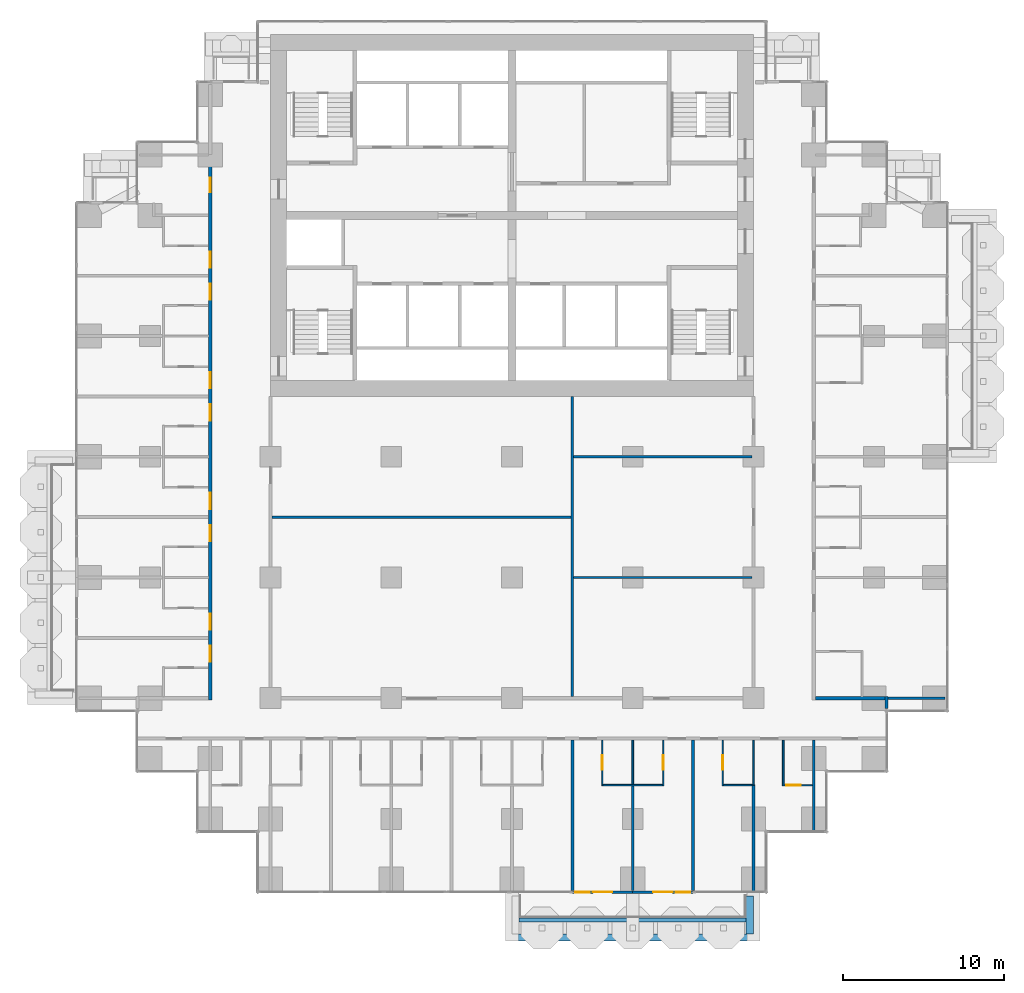
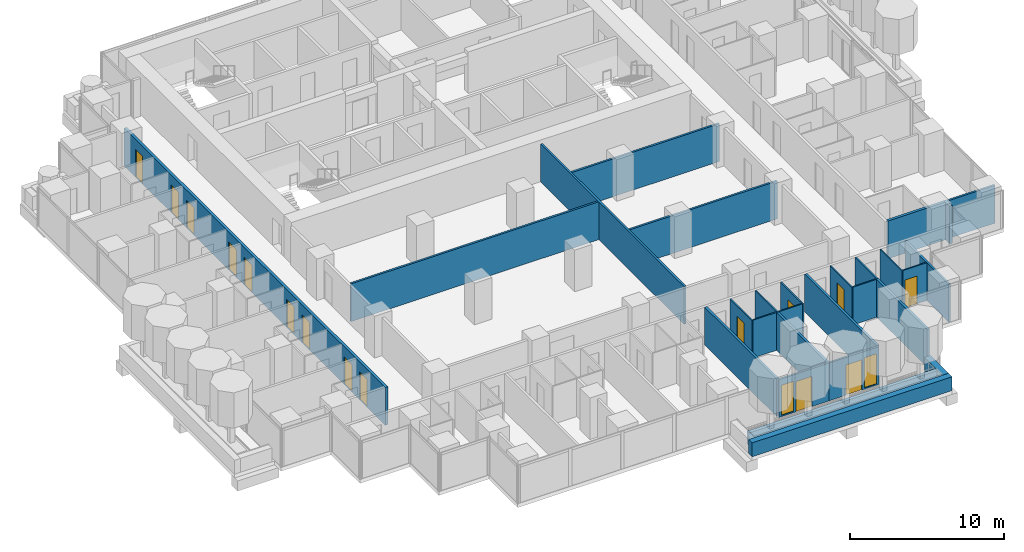
# One storey, part 13 of 20: 27 walls, 15 doors, 2 windows, 17 openings.
"""IFC4 building model written with IfcOpenShell, lengths in metres."""

import ifcopenshell
import ifcopenshell.guid

model = None  # the IFC model being written
_history = None  # IfcOwnerHistory: only IFC2X3 demands one
_inside = {}  # id of a spatial element -> (the spatial element, [elements in it])
_under = {}  # id of a project, library or spatial element -> (it, [spatial elements below it])
_declared = {}  # id of a project -> (the project, [libraries it declares])
_typed = {}  # id of a type object -> (the type object, [elements of that type])
_made_of = {}  # id of a material, layer set ... -> (it, [elements and type objects made of it])


def new_model(schema):
    """Start an empty IFC model of exactly this schema.

    Asked for "IFC4X3", IfcOpenShell would pick the latest addendum, in which some entities
    have other attributes; the version numbers below select the first issue.
    IFC2X3 requires an IfcOwnerHistory on every rooted entity: one is made here for all.
    """
    global model, _history
    if schema == "IFC4X3":
        model = ifcopenshell.file(schema_version=(4, 3, 0, 0))
    else:
        model = ifcopenshell.file(schema=schema)
    _inside.clear()
    _under.clear()
    _declared.clear()
    _typed.clear()
    _made_of.clear()
    _history = None
    if model.schema == "IFC2X3":
        org = make("IfcOrganization", Name="unknown")
        user = make(
            "IfcPersonAndOrganization",
            ThePerson=make("IfcPerson", FamilyName="unknown"),
            TheOrganization=org,
        )
        app = make(
            "IfcApplication",
            ApplicationDeveloper=org,
            Version="unknown",
            ApplicationFullName="unknown",
            ApplicationIdentifier="unknown",
        )
        _history = make(
            "IfcOwnerHistory",
            OwningUser=user,
            OwningApplication=app,
            ChangeAction="ADDED",
            CreationDate=0,
        )
    return model


def make(cls, **values):
    """One entity of the class cls with the attributes given. An attribute that is None is left unset."""
    return model.create_entity(
        cls, **{name: value for name, value in values.items() if value is not None}
    )


def rooted(cls, **values):
    """An entity with a GlobalId (a new one), such as an element, a storey or a relation."""
    return make(cls, GlobalId=ifcopenshell.guid.new(), OwnerHistory=_history, **values)


def si_unit(unit_type, name, prefix=None):
    """IfcSIUnit, for example si_unit("LENGTHUNIT", "METRE", prefix="MILLI")."""
    return make("IfcSIUnit", UnitType=unit_type, Prefix=prefix, Name=name)


def assignment(units):
    """IfcUnitAssignment: the units of a project."""
    return None if units is None else make("IfcUnitAssignment", Units=units)


def point(xyz):
    """IfcCartesianPoint."""
    return None if xyz is None else make("IfcCartesianPoint", Coordinates=xyz)


def direction(xyz):
    """IfcDirection."""
    return None if xyz is None else make("IfcDirection", DirectionRatios=xyz)


def frame(location, z_axis=None, x_axis=None):
    """IfcAxis2Placement3D, a coordinate frame: its origin and axes. An axis left out is left unset."""
    return make(
        "IfcAxis2Placement3D",
        Location=point(location),
        Axis=direction(z_axis),
        RefDirection=direction(x_axis),
    )


def frame_2d(location, x_axis=None):
    """IfcAxis2Placement2D, a coordinate frame in the plane: its origin and x axis."""
    return make(
        "IfcAxis2Placement2D", Location=point(location), RefDirection=direction(x_axis)
    )


def origin():
    """The frame at (0, 0, 0) with its axes left unset."""
    return frame((0.0, 0.0, 0.0))


def place(relative_to, where):
    """IfcLocalPlacement: puts the frame where relative to a parent placement (None: the world)."""
    return make(
        "IfcLocalPlacement", PlacementRelTo=relative_to, RelativePlacement=where
    )


def context(
    kind, dimensions, precision=None, world=None, true_north=None, identifier=None
):
    """IfcGeometricRepresentationContext, for example the 3D "Model" context."""
    return make(
        "IfcGeometricRepresentationContext",
        ContextIdentifier=identifier,
        ContextType=kind,
        CoordinateSpaceDimension=dimensions,
        Precision=precision,
        WorldCoordinateSystem=world,
        TrueNorth=true_north,
    )


def subcontext(parent, identifier, kind, view, scale=None):
    """IfcGeometricRepresentationSubContext, for example "Body" below "Model"."""
    return make(
        "IfcGeometricRepresentationSubContext",
        ContextIdentifier=identifier,
        ContextType=kind,
        ParentContext=parent,
        TargetScale=scale,
        TargetView=view,
    )


def project(units=None, contexts=None):
    """IfcProject with its units and contexts."""
    return rooted(
        "IfcProject",
        Name="project",
        RepresentationContexts=contexts,
        UnitsInContext=assignment(units),
    )


def spatial(cls, under=None, at=None, **own):
    """A site, building, storey or space (cls), placed at a placement, below another one or the project."""
    s = rooted(cls, ObjectPlacement=at, **own)
    if under is not None:
        _under.setdefault(under.id(), (under, []))[1].append(s)
    return s


def profile(cls, at=None, kind="AREA", **sizes):
    """A parametric profile (cls). Its sizes go by their IFC names, for example OverallWidth=200.0."""
    return make(cls, ProfileType=kind, Position=at, **sizes)


def rectangle(**sizes):
    """IfcRectangleProfileDef."""
    return profile("IfcRectangleProfileDef", **sizes)


def extrude(swept, where, along, depth):
    """IfcExtrudedAreaSolid: the profile swept, set in the frame where, extruded along a direction by depth."""
    return make(
        "IfcExtrudedAreaSolid",
        SweptArea=swept,
        Position=where,
        ExtrudedDirection=direction(along),
        Depth=depth,
    )


def shape(context_of_items, identifier, shape_type, items):
    """IfcShapeRepresentation: the items that make up one representation, for example the "Body"."""
    return make(
        "IfcShapeRepresentation",
        ContextOfItems=context_of_items,
        RepresentationIdentifier=identifier,
        RepresentationType=shape_type,
        Items=items,
    )


def material(Name=None, Category=None):
    """IfcMaterial."""
    return make("IfcMaterial", Name=Name, Category=Category)


def layer(
    of_material, thickness, ventilated=None, Name=None, Category=None, Priority=None
):
    """IfcMaterialLayer: one layer of a wall or slab, of a material (None: an air gap)."""
    return make(
        "IfcMaterialLayer",
        Material=of_material,
        LayerThickness=thickness,
        IsVentilated=ventilated,
        Name=Name,
        Category=Category,
        Priority=Priority,
    )


def layer_set(layers, Name=None):
    """IfcMaterialLayerSet."""
    return make("IfcMaterialLayerSet", MaterialLayers=layers, LayerSetName=Name)


def made_of(thing, what):
    """Note that an element or type object is made of a material, layer set ...; save() writes the relation."""
    if what is not None:
        _made_of.setdefault(what.id(), (what, []))[1].append(thing)
    return thing


def type_object(cls, material=None, **own):
    """A type object (cls), such as IfcWallType, which elements share."""
    return made_of(rooted(cls, **own), material)


def element(
    cls,
    number,
    at=None,
    inside=None,
    cuts=None,
    type_object=None,
    material=None,
    context=None,
    identifier="Body",
    shape_type=None,
    held_by="IfcProductDefinitionShape",
    body=None,
    shapes=None,
    **own,
):
    """One element of the class cls, such as IfcWall. Its Tag is "e" and its number.

    at: its placement. inside: the storey or other place that contains it. cuts: it is an
    opening in that element (IfcRelVoidsElement). A single representation is given by context,
    identifier, shape_type and body (its items); several are given by shapes. held_by: the class
    of the entity that holds the representations. save() writes the other relations.
    """
    e = rooted(cls, Tag="e%d" % number, ObjectPlacement=at, **own)
    if body is not None:
        shapes = [shape(context, identifier, shape_type, body)]
    if shapes is not None:
        e.Representation = make(held_by, Representations=shapes)
    if inside is not None:
        _inside.setdefault(inside.id(), (inside, []))[1].append(e)
    if cuts is not None:
        rooted(
            "IfcRelVoidsElement", RelatingBuildingElement=cuts, RelatedOpeningElement=e
        )
    if type_object is not None:
        _typed.setdefault(type_object.id(), (type_object, []))[1].append(e)
    return made_of(e, material)


def fill(opening, filler):
    """IfcRelFillsElement: the door or window that sits in an opening."""
    return rooted(
        "IfcRelFillsElement",
        RelatingOpeningElement=opening,
        RelatedBuildingElement=filler,
    )


def aggregate(whole, parts):
    """IfcRelAggregates: a whole, such as a stair, and the parts it consists of."""
    return rooted("IfcRelAggregates", RelatingObject=whole, RelatedObjects=parts)


def save(model, path):
    """Write the relations noted so far, then the file.

    IfcRelAggregates (storeys below a building ...), IfcRelContainedInSpatialStructure (elements
    in a storey), IfcRelDefinesByType, IfcRelAssociatesMaterial and IfcRelDeclares: one each for
    every whole, place, type object, material and project.
    """
    for whole, parts in _under.values():
        aggregate(whole, parts)
    for where, things in _inside.values():
        rooted(
            "IfcRelContainedInSpatialStructure",
            RelatedElements=things,
            RelatingStructure=where,
        )
    for kind, things in _typed.values():
        rooted("IfcRelDefinesByType", RelatedObjects=things, RelatingType=kind)
    for what, things in _made_of.values():
        rooted("IfcRelAssociatesMaterial", RelatedObjects=things, RelatingMaterial=what)
    for by, libraries in _declared.values():
        rooted("IfcRelDeclares", RelatingContext=by, RelatedDefinitions=libraries)
    model.write(path)


model = new_model("IFC4")

# Units and contexts
model_context = context("Model", 3, precision=1e-05, world=origin(), true_north=direction((0.0, 1.0)))
body_context = subcontext(model_context, "Body", "Model", "MODEL_VIEW")
ifc_project = project(units=[si_unit("LENGTHUNIT", "METRE"), si_unit("AREAUNIT", "SQUARE_METRE"), si_unit("VOLUMEUNIT", "CUBIC_METRE"), si_unit("PLANEANGLEUNIT", "RADIAN"), si_unit("MASSUNIT", "GRAM", prefix="KILO")], contexts=[model_context])

# Site, building, storey
site_placement = place(None, origin())
site = spatial("IfcSite", under=ifc_project, at=site_placement, CompositionType="ELEMENT")
building_placement = place(site_placement, origin())
building = spatial("IfcBuilding", under=site, at=building_placement, Name="Pilkhan Gate Tower", CompositionType="ELEMENT")
storey_placement = place(building_placement, frame((0.0, 0.0, 85.699951171875)))
storey = spatial("IfcBuildingStorey", under=building, at=storey_placement, Name="L20", CompositionType="ELEMENT", Elevation=85.699951171875)

# Walls
ifc_material_1 = material(Name="Dense blockwork", Category="masonry")
ifc_layer_1 = layer(ifc_material_1, 0.175048828125)
ifc_layer_set_1 = layer_set([ifc_layer_1], Name="Acoustic party wall PW175")
wall_type_1 = type_object("IfcWallType", Name="Acoustic party wall PW175", PredefinedType="PARTITIONING", material=ifc_layer_set_1)
wall_1_placement = place(storey_placement, frame((78.75, 40.5400390625, 0.0), z_axis=(0.0, 0.0, 1.0), x_axis=(0.0, 1.0, 0.0)))
element("IfcWall", 1, at=wall_1_placement, inside=storey, type_object=wall_type_1, Name="Partition L20", PredefinedType="PARTITIONING", context=body_context, shape_type="SweptSolid", body=[
    extrude(rectangle(XDim=9.35986328125, YDim=0.175048828125, at=frame_2d((4.679931640625, 0.0))), origin(), (0.0, 0.0, 1.0), 3.0),
])
wall_2_placement = place(storey_placement, frame((82.5, 40.5400390625, 0.0), z_axis=(0.0, 0.0, 1.0), x_axis=(0.0, 1.0, 0.0)))
element("IfcWall", 2, at=wall_2_placement, inside=storey, type_object=wall_type_1, Name="Partition L20", PredefinedType="PARTITIONING", context=body_context, shape_type="SweptSolid", body=[
    extrude(rectangle(XDim=6.510009765625, YDim=0.175048828125, at=frame_2d((3.2548828125, 0.0))), origin(), (0.0, 0.0, 1.0), 3.0),
])
wall_3_placement = place(storey_placement, frame((86.25, 40.5400390625, 0.0), z_axis=(0.0, 0.0, 1.0), x_axis=(0.0, 1.0, 0.0)))
element("IfcWall", 3, at=wall_3_placement, inside=storey, type_object=wall_type_1, Name="Partition L20", PredefinedType="PARTITIONING", context=body_context, shape_type="SweptSolid", body=[
    extrude(rectangle(XDim=9.35986328125, YDim=0.175048828125, at=frame_2d((4.679931640625, 0.0))), origin(), (0.0, 0.0, 1.0), 3.0),
])
wall_4_placement = place(storey_placement, frame((90.0, 40.485107421875, 0.0), z_axis=(0.0, 0.0, 1.0), x_axis=(0.0, 1.0, 0.0)))
element("IfcWall", 4, at=wall_4_placement, inside=storey, type_object=wall_type_1, Name="Partition L20", PredefinedType="PARTITIONING", context=body_context, shape_type="SweptSolid", body=[
    extrude(rectangle(XDim=6.664794921875, YDim=0.175048828125, at=frame_2d((3.33251953125, 0.0))), origin(), (0.0, 0.0, 1.0), 3.0),
])
ifc_material_2 = material(Name="Concrete C40/50", Category="concrete")
ifc_layer_2 = layer(ifc_material_2, 0.25)
ifc_layer_set_2 = layer_set([ifc_layer_2], Name="Balcony planter BP250")
wall_type_2 = type_object("IfcWallType", Name="Balcony planter BP250", PredefinedType="USERDEFINED", material=ifc_layer_set_2)
wall_5_placement = place(storey_placement, frame((75.449951171875, 38.72509765625, 0.0), z_axis=(0.0, 0.0, 1.0), x_axis=(1.0, 0.0, 0.0)))
element("IfcWall", 5, at=wall_5_placement, inside=storey, type_object=wall_type_2, Name="Balcony planter L20 S", ObjectType="BALCONY PLANTER", PredefinedType="USERDEFINED", context=body_context, shape_type="SweptSolid", body=[
    extrude(rectangle(XDim=14.10009765625, YDim=0.25, at=frame_2d((7.050048828125, 0.0))), origin(), (0.0, 0.0, 1.0), 1.0),
])
ifc_material_3 = material(Name="Board-marked Concrete C40/50", Category="concrete")
ifc_layer_3 = layer(ifc_material_3, 0.449951171875)
ifc_layer_set_3 = layer_set([ifc_layer_3], Name="Balcony planter lip BL450")
wall_type_3 = type_object("IfcWallType", Name="Balcony planter lip BL450", PredefinedType="USERDEFINED", material=ifc_layer_set_3)
wall_6_placement = place(storey_placement, frame((75.0, 37.625, 0.0), z_axis=(0.0, 0.0, 1.0), x_axis=(1.0, 0.0, 0.0)))
element("IfcWall", 6, at=wall_6_placement, inside=storey, type_object=wall_type_3, Name="Balcony planter L20 S", ObjectType="BALCONY PLANTER", PredefinedType="USERDEFINED", context=body_context, shape_type="SweptSolid", body=[
    extrude(rectangle(XDim=15.0, YDim=0.449951171875, at=frame_2d((7.5, 0.0))), origin(), (0.0, 0.0, 1.0), 1.10009765625),
])
wall_7_placement = place(storey_placement, frame((89.77490234375, 40.199951171875, 0.0), z_axis=(0.0, 0.0, 1.0), x_axis=(0.0, -1.0, 0.0)))
element("IfcWall", 7, at=wall_7_placement, inside=storey, type_object=wall_type_3, Name="Balcony planter L20 S", ObjectType="BALCONY PLANTER", PredefinedType="USERDEFINED", context=body_context, shape_type="SweptSolid", body=[
    extrude(rectangle(XDim=2.349853515625, YDim=0.449951171875, at=frame_2d((1.1748046875, 0.0))), origin(), (0.0, 0.0, 1.0), 1.10009765625),
])
ifc_layer_4 = layer(ifc_material_1, 0.199951171875)
ifc_layer_set_4 = layer_set([ifc_layer_4], Name="Corridor wall FW200")
wall_type_4 = type_object("IfcWallType", Name="Corridor wall FW200", PredefinedType="PARTITIONING", material=ifc_layer_set_4)
wall_8_placement = place(storey_placement, frame((93.85009765625, 52.5, 0.0), z_axis=(0.0, 0.0, 1.0), x_axis=(1.0, 0.0, 0.0)))
element("IfcWall", 8, at=wall_8_placement, inside=storey, type_object=wall_type_4, Name="Partition L20", PredefinedType="PARTITIONING", context=body_context, shape_type="SweptSolid", body=[
    extrude(rectangle(XDim=4.31494140625, YDim=0.199951171875, at=frame_2d((2.157470703125, 0.0))), origin(), (0.0, 0.0, 1.0), 3.0),
])

# Wall, openings, doors
wall_9_placement = place(storey_placement, frame((56.25, 52.39990234375, 0.0), z_axis=(0.0, 0.0, 1.0), x_axis=(0.0, 1.0, 0.0)))
wall_9 = element("IfcWall", 9, at=wall_9_placement, inside=storey, type_object=wall_type_4, Name="Partition L20", PredefinedType="PARTITIONING", context=body_context, shape_type="SweptSolid", body=[
    extrude(rectangle(XDim=33.925048828125, YDim=0.199951171875, at=frame_2d((16.96240234375, 0.0))), origin(), (0.0, 0.0, 1.0), 3.0),
])
opening_1_placement = place(wall_9_placement, frame((2.35009765625, 0.0, 0.0)))
opening_1 = element("IfcOpeningElement", 10, at=opening_1_placement, cuts=wall_9, Name="Opening L20-26", PredefinedType="OPENING", context=body_context, shape_type="SweptSolid", body=[
    extrude(rectangle(XDim=1.0, YDim=2.199951171875, at=frame_2d((0.5, 1.10009765625))), frame((0.0, 0.10986328125, 0.0), z_axis=(0.0, -1.0, 0.0), x_axis=(1.0, 0.0, 0.0)), (0.0, 0.0, 1.0), 0.219970703125),
])
opening_2_placement = place(wall_9_placement, frame((4.35009765625, 0.0, 0.0)))
opening_2 = element("IfcOpeningElement", 11, at=opening_2_placement, cuts=wall_9, Name="Opening L20-28", PredefinedType="OPENING", context=body_context, shape_type="SweptSolid", body=[
    extrude(rectangle(XDim=1.0, YDim=2.199951171875, at=frame_2d((0.5, 1.10009765625))), frame((0.0, 0.10986328125, 0.0), z_axis=(0.0, -1.0, 0.0), x_axis=(1.0, 0.0, 0.0)), (0.0, 0.0, 1.0), 0.219970703125),
])
opening_3_placement = place(wall_9_placement, frame((9.85009765625, 0.0, 0.0)))
opening_3 = element("IfcOpeningElement", 12, at=opening_3_placement, cuts=wall_9, Name="Opening L20-30", PredefinedType="OPENING", context=body_context, shape_type="SweptSolid", body=[
    extrude(rectangle(XDim=1.0, YDim=2.199951171875, at=frame_2d((0.5, 1.10009765625))), frame((0.0, 0.10986328125, 0.0), z_axis=(0.0, -1.0, 0.0), x_axis=(1.0, 0.0, 0.0)), (0.0, 0.0, 1.0), 0.219970703125),
])
opening_4_placement = place(wall_9_placement, frame((11.85009765625, 0.0, 0.0)))
opening_4 = element("IfcOpeningElement", 13, at=opening_4_placement, cuts=wall_9, Name="Opening L20-32", PredefinedType="OPENING", context=body_context, shape_type="SweptSolid", body=[
    extrude(rectangle(XDim=1.0, YDim=2.199951171875, at=frame_2d((0.5, 1.10009765625))), frame((0.0, 0.10986328125, 0.0), z_axis=(0.0, -1.0, 0.0), x_axis=(1.0, 0.0, 0.0)), (0.0, 0.0, 1.0), 0.219970703125),
])
opening_5_placement = place(wall_9_placement, frame((17.35009765625, 0.0, 0.0)))
opening_5 = element("IfcOpeningElement", 14, at=opening_5_placement, cuts=wall_9, Name="Opening L20-34", PredefinedType="OPENING", context=body_context, shape_type="SweptSolid", body=[
    extrude(rectangle(XDim=1.0, YDim=2.199951171875, at=frame_2d((0.5, 1.10009765625))), frame((0.0, 0.10986328125, 0.0), z_axis=(0.0, -1.0, 0.0), x_axis=(1.0, 0.0, 0.0)), (0.0, 0.0, 1.0), 0.219970703125),
])
opening_6_placement = place(wall_9_placement, frame((19.35009765625, 0.0, 0.0)))
opening_6 = element("IfcOpeningElement", 15, at=opening_6_placement, cuts=wall_9, Name="Opening L20-36", PredefinedType="OPENING", context=body_context, shape_type="SweptSolid", body=[
    extrude(rectangle(XDim=1.0, YDim=2.199951171875, at=frame_2d((0.5, 1.10009765625))), frame((0.0, 0.10986328125, 0.0), z_axis=(0.0, -1.0, 0.0), x_axis=(1.0, 0.0, 0.0)), (0.0, 0.0, 1.0), 0.219970703125),
])
opening_7_placement = place(wall_9_placement, frame((24.85009765625, 0.0, 0.0)))
opening_7 = element("IfcOpeningElement", 16, at=opening_7_placement, cuts=wall_9, Name="Opening L20-38", PredefinedType="OPENING", context=body_context, shape_type="SweptSolid", body=[
    extrude(rectangle(XDim=1.0, YDim=2.199951171875, at=frame_2d((0.5, 1.10009765625))), frame((0.0, 0.10986328125, 0.0), z_axis=(0.0, -1.0, 0.0), x_axis=(1.0, 0.0, 0.0)), (0.0, 0.0, 1.0), 0.219970703125),
])
opening_8_placement = place(wall_9_placement, frame((26.85009765625, 0.0, 0.0)))
opening_8 = element("IfcOpeningElement", 17, at=opening_8_placement, cuts=wall_9, Name="Opening L20-40", PredefinedType="OPENING", context=body_context, shape_type="SweptSolid", body=[
    extrude(rectangle(XDim=1.0, YDim=2.199951171875, at=frame_2d((0.5, 1.10009765625))), frame((0.0, 0.10986328125, 0.0), z_axis=(0.0, -1.0, 0.0), x_axis=(1.0, 0.0, 0.0)), (0.0, 0.0, 1.0), 0.219970703125),
])
opening_9_placement = place(wall_9_placement, frame((31.550048828125, 0.0, 0.0)))
opening_9 = element("IfcOpeningElement", 18, at=opening_9_placement, cuts=wall_9, Name="Opening L20-61", PredefinedType="OPENING", context=body_context, shape_type="SweptSolid", body=[
    extrude(rectangle(XDim=0.89990234375, YDim=2.199951171875, at=frame_2d((0.449951171875, 1.10009765625))), frame((0.0, 0.10986328125, 0.0), z_axis=(0.0, -1.0, 0.0), x_axis=(1.0, 0.0, 0.0)), (0.0, 0.0, 1.0), 0.219970703125),
])
ifc_material_4 = material(Name="Timber flush door, 30 minute fire resisting", Category="wood")
door_type_1 = type_object("IfcDoorType", Name="Guest room door D01 1000x2200", OperationType="SINGLE_SWING_LEFT", PredefinedType="DOOR", material=ifc_material_4)
door_1_placement = place(opening_1_placement, origin())
door_1 = element("IfcDoor", 19, at=door_1_placement, inside=storey, type_object=door_type_1, Name="Guest room door", OperationType="SINGLE_SWING_RIGHT", OverallHeight=2.199951171875, OverallWidth=1.0, PredefinedType="DOOR", context=body_context, shape_type="SweptSolid", body=[
    extrude(rectangle(XDim=1.0, YDim=2.199951171875, at=frame_2d((0.5, 1.10009765625))), frame((0.0, 0.02490234375, 0.0), z_axis=(0.0, -1.0, 0.0), x_axis=(1.0, 0.0, 0.0)), (0.0, 0.0, 1.0), 0.050048828125),
])
fill(opening_1, door_1)
door_2_placement = place(opening_2_placement, origin())
door_2 = element("IfcDoor", 20, at=door_2_placement, inside=storey, type_object=door_type_1, Name="Guest room door", OperationType="SINGLE_SWING_LEFT", OverallHeight=2.199951171875, OverallWidth=1.0, PredefinedType="DOOR", context=body_context, shape_type="SweptSolid", body=[
    extrude(rectangle(XDim=1.0, YDim=2.199951171875, at=frame_2d((0.5, 1.10009765625))), frame((0.0, 0.02490234375, 0.0), z_axis=(0.0, -1.0, 0.0), x_axis=(1.0, 0.0, 0.0)), (0.0, 0.0, 1.0), 0.050048828125),
])
fill(opening_2, door_2)
door_3_placement = place(opening_3_placement, origin())
door_3 = element("IfcDoor", 21, at=door_3_placement, inside=storey, type_object=door_type_1, Name="Guest room door", OperationType="SINGLE_SWING_LEFT", OverallHeight=2.199951171875, OverallWidth=1.0, PredefinedType="DOOR", context=body_context, shape_type="SweptSolid", body=[
    extrude(rectangle(XDim=1.0, YDim=2.199951171875, at=frame_2d((0.5, 1.10009765625))), frame((0.0, 0.02490234375, 0.0), z_axis=(0.0, -1.0, 0.0), x_axis=(1.0, 0.0, 0.0)), (0.0, 0.0, 1.0), 0.050048828125),
])
fill(opening_3, door_3)
door_4_placement = place(opening_4_placement, origin())
door_4 = element("IfcDoor", 22, at=door_4_placement, inside=storey, type_object=door_type_1, Name="Guest room door", OperationType="SINGLE_SWING_LEFT", OverallHeight=2.199951171875, OverallWidth=1.0, PredefinedType="DOOR", context=body_context, shape_type="SweptSolid", body=[
    extrude(rectangle(XDim=1.0, YDim=2.199951171875, at=frame_2d((0.5, 1.10009765625))), frame((0.0, 0.02490234375, 0.0), z_axis=(0.0, -1.0, 0.0), x_axis=(1.0, 0.0, 0.0)), (0.0, 0.0, 1.0), 0.050048828125),
])
fill(opening_4, door_4)
door_5_placement = place(opening_5_placement, origin())
door_5 = element("IfcDoor", 23, at=door_5_placement, inside=storey, type_object=door_type_1, Name="Guest room door", OperationType="SINGLE_SWING_LEFT", OverallHeight=2.199951171875, OverallWidth=1.0, PredefinedType="DOOR", context=body_context, shape_type="SweptSolid", body=[
    extrude(rectangle(XDim=1.0, YDim=2.199951171875, at=frame_2d((0.5, 1.10009765625))), frame((0.0, 0.02490234375, 0.0), z_axis=(0.0, -1.0, 0.0), x_axis=(1.0, 0.0, 0.0)), (0.0, 0.0, 1.0), 0.050048828125),
])
fill(opening_5, door_5)
door_6_placement = place(opening_6_placement, origin())
door_6 = element("IfcDoor", 24, at=door_6_placement, inside=storey, type_object=door_type_1, Name="Guest room door", OperationType="SINGLE_SWING_LEFT", OverallHeight=2.199951171875, OverallWidth=1.0, PredefinedType="DOOR", context=body_context, shape_type="SweptSolid", body=[
    extrude(rectangle(XDim=1.0, YDim=2.199951171875, at=frame_2d((0.5, 1.10009765625))), frame((0.0, 0.02490234375, 0.0), z_axis=(0.0, -1.0, 0.0), x_axis=(1.0, 0.0, 0.0)), (0.0, 0.0, 1.0), 0.050048828125),
])
fill(opening_6, door_6)
door_7_placement = place(opening_7_placement, origin())
door_7 = element("IfcDoor", 25, at=door_7_placement, inside=storey, type_object=door_type_1, Name="Guest room door", OperationType="SINGLE_SWING_LEFT", OverallHeight=2.199951171875, OverallWidth=1.0, PredefinedType="DOOR", context=body_context, shape_type="SweptSolid", body=[
    extrude(rectangle(XDim=1.0, YDim=2.199951171875, at=frame_2d((0.5, 1.10009765625))), frame((0.0, 0.02490234375, 0.0), z_axis=(0.0, -1.0, 0.0), x_axis=(1.0, 0.0, 0.0)), (0.0, 0.0, 1.0), 0.050048828125),
])
fill(opening_7, door_7)
door_8_placement = place(opening_8_placement, origin())
door_8 = element("IfcDoor", 26, at=door_8_placement, inside=storey, type_object=door_type_1, Name="Guest room door", OperationType="SINGLE_SWING_RIGHT", OverallHeight=2.199951171875, OverallWidth=1.0, PredefinedType="DOOR", context=body_context, shape_type="SweptSolid", body=[
    extrude(rectangle(XDim=1.0, YDim=2.199951171875, at=frame_2d((0.5, 1.10009765625))), frame((0.0, 0.02490234375, 0.0), z_axis=(0.0, -1.0, 0.0), x_axis=(1.0, 0.0, 0.0)), (0.0, 0.0, 1.0), 0.050048828125),
])
fill(opening_8, door_8)
ifc_material_5 = material(Name="Timber flush door, 60 minute fire resisting, self-closing", Category="wood")
door_type_2 = type_object("IfcDoorType", Name="Store door D05 900x2200", OperationType="SINGLE_SWING_LEFT", PredefinedType="DOOR", material=ifc_material_5)
door_9_placement = place(opening_9_placement, origin())
door_9 = element("IfcDoor", 27, at=door_9_placement, inside=storey, type_object=door_type_2, Name="Store door", OperationType="SINGLE_SWING_RIGHT", OverallHeight=2.199951171875, OverallWidth=0.89990234375, PredefinedType="DOOR", context=body_context, shape_type="SweptSolid", body=[
    extrude(rectangle(XDim=0.89990234375, YDim=2.199951171875, at=frame_2d((0.449951171875, 1.10009765625))), frame((0.0, 0.02490234375, 0.0), z_axis=(0.0, -1.0, 0.0), x_axis=(1.0, 0.0, 0.0)), (0.0, 0.0, 1.0), 0.050048828125),
])
fill(opening_9, door_9)

# Wall
wall_10_placement = place(storey_placement, frame((98.264892578125, 51.85498046875, 0.0), z_axis=(0.0, 0.0, 1.0), x_axis=(0.0, 1.0, 0.0)))
element("IfcWall", 28, at=wall_10_placement, inside=storey, type_object=wall_type_4, Name="Partition L20", PredefinedType="PARTITIONING", context=body_context, shape_type="SweptSolid", body=[
    extrude(rectangle(XDim=0.7451171875, YDim=0.199951171875, at=frame_2d((0.37255859375, 0.0))), origin(), (0.0, 0.0, 1.0), 3.0),
])

# Wall, openings, door, window
ifc_material_6 = material(Name="Pale anodised aluminium, clear laminated glazing", Category="aluminium")
ifc_layer_5 = layer(ifc_material_6, 0.14990234375)
ifc_layer_set_5 = layer_set([ifc_layer_5], Name="Facade infill wall IW150")
wall_type_5 = type_object("IfcWallType", Name="Facade infill wall IW150", PredefinedType="SOLIDWALL", material=ifc_layer_set_5)
wall_11_placement = place(storey_placement, frame((78.75, 40.455078125, 0.0), z_axis=(0.0, 0.0, 1.0), x_axis=(1.0, 0.0, 0.0)))
wall_11 = element("IfcWall", 29, at=wall_11_placement, inside=storey, type_object=wall_type_5, Name="Infill wall L20 S", PredefinedType="SOLIDWALL", context=body_context, shape_type="SweptSolid", body=[
    extrude(rectangle(XDim=3.75, YDim=0.14990234375, at=frame_2d((1.875, 0.0))), origin(), (0.0, 0.0, 1.0), 3.0),
])
opening_10_placement = place(wall_11_placement, frame((0.1875, 0.0, 0.10009765625)))
opening_10 = element("IfcOpeningElement", 30, at=opening_10_placement, cuts=wall_11, Name="Opening W1", PredefinedType="OPENING", context=body_context, shape_type="SweptSolid", body=[
    extrude(rectangle(XDim=0.89990234375, YDim=2.39990234375, at=frame_2d((0.449951171875, 1.199951171875))), frame((0.0, 0.0849609375, 0.0), z_axis=(0.0, -1.0, 0.0), x_axis=(1.0, 0.0, 0.0)), (0.0, 0.0, 1.0), 0.169921875),
])
opening_11_placement = place(wall_11_placement, frame((1.27490234375, 0.0, 0.0)))
opening_11 = element("IfcOpeningElement", 31, at=opening_11_placement, cuts=wall_11, Name="Opening D1", PredefinedType="OPENING", context=body_context, shape_type="SweptSolid", body=[
    extrude(rectangle(XDim=1.199951171875, YDim=2.39990234375, at=frame_2d((0.60009765625, 1.199951171875))), frame((0.0, 0.0849609375, 0.0), z_axis=(0.0, -1.0, 0.0), x_axis=(1.0, 0.0, 0.0)), (0.0, 0.0, 1.0), 0.169921875),
])
ifc_material_7 = material(Name="Pale anodised aluminium, clear glazing", Category="aluminium")
door_type_3 = type_object("IfcDoorType", Name="Balcony door D1 1200x2400", OperationType="SINGLE_SWING_LEFT", PredefinedType="DOOR", material=ifc_material_7)
door_10_placement = place(opening_11_placement, origin())
door_10 = element("IfcDoor", 32, at=door_10_placement, inside=storey, type_object=door_type_3, Name="Balcony door L20", OperationType="SINGLE_SWING_LEFT", OverallHeight=2.39990234375, OverallWidth=1.199951171875, PredefinedType="DOOR", context=body_context, shape_type="SweptSolid", body=[
    extrude(rectangle(XDim=1.199951171875, YDim=2.39990234375, at=frame_2d((0.60009765625, 1.199951171875))), frame((0.0, 0.02490234375, 0.0), z_axis=(0.0, -1.0, 0.0), x_axis=(1.0, 0.0, 0.0)), (0.0, 0.0, 1.0), 0.050048828125),
])
fill(opening_11, door_10)
ifc_material_8 = material(Name="Pale anodised aluminium, clear double glazing", Category="aluminium")
window_type = type_object("IfcWindowType", Name="Window W1 900x2400", PartitioningType="SINGLE_PANEL", PredefinedType="WINDOW", material=ifc_material_8)
window_1_placement = place(opening_10_placement, origin())
window_1 = element("IfcWindow", 33, at=window_1_placement, inside=storey, type_object=window_type, Name="Window L20", OverallHeight=2.39990234375, OverallWidth=0.89990234375, PartitioningType="SINGLE_PANEL", PredefinedType="WINDOW", context=body_context, shape_type="SweptSolid", body=[
    extrude(rectangle(XDim=0.89990234375, YDim=2.39990234375, at=frame_2d((0.449951171875, 1.199951171875))), frame((0.0, 0.030029296875, 0.0), z_axis=(0.0, -1.0, 0.0), x_axis=(1.0, 0.0, 0.0)), (0.0, 0.0, 1.0), 0.06005859375),
])
fill(opening_10, window_1)

wall_12_placement = place(storey_placement, frame((82.5, 40.455078125, 0.0), z_axis=(0.0, 0.0, 1.0), x_axis=(1.0, 0.0, 0.0)))
wall_12 = element("IfcWall", 34, at=wall_12_placement, inside=storey, type_object=wall_type_5, Name="Infill wall L20 S", PredefinedType="SOLIDWALL", context=body_context, shape_type="SweptSolid", body=[
    extrude(rectangle(XDim=3.75, YDim=0.14990234375, at=frame_2d((1.875, 0.0))), origin(), (0.0, 0.0, 1.0), 3.0),
])
opening_12_placement = place(wall_12_placement, frame((1.27490234375, 0.0, 0.0)))
opening_12 = element("IfcOpeningElement", 35, at=opening_12_placement, cuts=wall_12, Name="Opening D1", PredefinedType="OPENING", context=body_context, shape_type="SweptSolid", body=[
    extrude(rectangle(XDim=1.199951171875, YDim=2.39990234375, at=frame_2d((0.60009765625, 1.199951171875))), frame((0.0, 0.0849609375, 0.0), z_axis=(0.0, -1.0, 0.0), x_axis=(1.0, 0.0, 0.0)), (0.0, 0.0, 1.0), 0.169921875),
])
opening_13_placement = place(wall_12_placement, frame((2.66259765625, 0.0, 0.10009765625)))
opening_13 = element("IfcOpeningElement", 36, at=opening_13_placement, cuts=wall_12, Name="Opening W1", PredefinedType="OPENING", context=body_context, shape_type="SweptSolid", body=[
    extrude(rectangle(XDim=0.89990234375, YDim=2.39990234375, at=frame_2d((0.449951171875, 1.199951171875))), frame((0.0, 0.0849609375, 0.0), z_axis=(0.0, -1.0, 0.0), x_axis=(1.0, 0.0, 0.0)), (0.0, 0.0, 1.0), 0.169921875),
])
door_11_placement = place(opening_12_placement, origin())
door_11 = element("IfcDoor", 37, at=door_11_placement, inside=storey, type_object=door_type_3, Name="Balcony door L20", OperationType="SINGLE_SWING_LEFT", OverallHeight=2.39990234375, OverallWidth=1.199951171875, PredefinedType="DOOR", context=body_context, shape_type="SweptSolid", body=[
    extrude(rectangle(XDim=1.199951171875, YDim=2.39990234375, at=frame_2d((0.60009765625, 1.199951171875))), frame((0.0, 0.02490234375, 0.0), z_axis=(0.0, -1.0, 0.0), x_axis=(1.0, 0.0, 0.0)), (0.0, 0.0, 1.0), 0.050048828125),
])
fill(opening_12, door_11)
window_2_placement = place(opening_13_placement, origin())
window_2 = element("IfcWindow", 38, at=window_2_placement, inside=storey, type_object=window_type, Name="Window L20", OverallHeight=2.39990234375, OverallWidth=0.89990234375, PartitioningType="SINGLE_PANEL", PredefinedType="WINDOW", context=body_context, shape_type="SweptSolid", body=[
    extrude(rectangle(XDim=0.89990234375, YDim=2.39990234375, at=frame_2d((0.449951171875, 1.199951171875))), frame((0.0, 0.030029296875, 0.0), z_axis=(0.0, -1.0, 0.0), x_axis=(1.0, 0.0, 0.0)), (0.0, 0.0, 1.0), 0.06005859375),
])
fill(opening_13, window_2)

# Walls
ifc_material_9 = material(Name="Blockwork partition, plastered both sides", Category="masonry")
ifc_layer_6 = layer(ifc_material_9, 0.14990234375)
ifc_layer_set_6 = layer_set([ifc_layer_6], Name="Partition PW150")
wall_type_6 = type_object("IfcWallType", Name="Partition PW150", PredefinedType="PARTITIONING", material=ifc_layer_set_6)
wall_13_placement = place(storey_placement, frame((98.364990234375, 52.5, 0.0), z_axis=(0.0, 0.0, 1.0), x_axis=(1.0, 0.0, 0.0)))
element("IfcWall", 39, at=wall_13_placement, inside=storey, type_object=wall_type_6, Name="Partition L20", PredefinedType="PARTITIONING", context=body_context, shape_type="SweptSolid", body=[
    extrude(rectangle(XDim=3.530029296875, YDim=0.14990234375, at=frame_2d((1.76513671875, 0.0))), origin(), (0.0, 0.0, 1.0), 3.0),
])
wall_14_placement = place(storey_placement, frame((78.824951171875, 60.0, 0.0), z_axis=(0.0, 0.0, 1.0), x_axis=(1.0, 0.0, 0.0)))
element("IfcWall", 40, at=wall_14_placement, inside=storey, type_object=wall_type_6, Name="Partition L20", PredefinedType="PARTITIONING", context=body_context, shape_type="SweptSolid", body=[
    extrude(rectangle(XDim=11.074951171875, YDim=0.14990234375, at=frame_2d((5.53759765625, 0.0))), origin(), (0.0, 0.0, 1.0), 3.0),
])
wall_15_placement = place(storey_placement, frame((60.10009765625, 63.75, 0.0), z_axis=(0.0, 0.0, 1.0), x_axis=(1.0, 0.0, 0.0)))
element("IfcWall", 41, at=wall_15_placement, inside=storey, type_object=wall_type_6, Name="Partition L20", PredefinedType="PARTITIONING", context=body_context, shape_type="SweptSolid", body=[
    extrude(rectangle(XDim=18.574951171875, YDim=0.14990234375, at=frame_2d((9.28759765625, 0.0))), origin(), (0.0, 0.0, 1.0), 3.0),
])
wall_16_placement = place(storey_placement, frame((78.824951171875, 67.5, 0.0), z_axis=(0.0, 0.0, 1.0), x_axis=(1.0, 0.0, 0.0)))
element("IfcWall", 42, at=wall_16_placement, inside=storey, type_object=wall_type_6, Name="Partition L20", PredefinedType="PARTITIONING", context=body_context, shape_type="SweptSolid", body=[
    extrude(rectangle(XDim=11.074951171875, YDim=0.14990234375, at=frame_2d((5.53759765625, 0.0))), origin(), (0.0, 0.0, 1.0), 3.0),
])
wall_17_placement = place(storey_placement, frame((78.75, 52.60009765625, 0.0), z_axis=(0.0, 0.0, 1.0), x_axis=(0.0, 1.0, 0.0)))
element("IfcWall", 43, at=wall_17_placement, inside=storey, type_object=wall_type_6, Name="Partition L20", PredefinedType="PARTITIONING", context=body_context, shape_type="SweptSolid", body=[
    extrude(rectangle(XDim=18.639892578125, YDim=0.14990234375, at=frame_2d((9.31982421875, 0.0))), origin(), (0.0, 0.0, 1.0), 3.0),
])
wall_18_placement = place(storey_placement, frame((93.75, 44.235107421875, 0.0), z_axis=(0.0, 0.0, 1.0), x_axis=(0.0, 1.0, 0.0)))
element("IfcWall", 44, at=wall_18_placement, inside=storey, type_object=wall_type_6, Name="Partition L20", PredefinedType="PARTITIONING", context=body_context, shape_type="SweptSolid", body=[
    extrude(rectangle(XDim=5.664794921875, YDim=0.14990234375, at=frame_2d((2.83251953125, 0.0))), origin(), (0.0, 0.0, 1.0), 3.0),
])
ifc_material_10 = material(Name="Moisture resistant board, tiled")
ifc_layer_7 = layer(ifc_material_10, 0.10009765625)
ifc_layer_set_7 = layer_set([ifc_layer_7], Name="Wet wall PW100")
wall_type_7 = type_object("IfcWallType", Name="Wet wall PW100", PredefinedType="PARTITIONING", material=ifc_layer_set_7)
wall_19_placement = place(storey_placement, frame((80.64990234375, 47.10009765625, 0.0), z_axis=(0.0, 0.0, 1.0), x_axis=(1.0, 0.0, 0.0)))
element("IfcWall", 45, at=wall_19_placement, inside=storey, type_object=wall_type_7, Name="Partition L20", PredefinedType="PARTITIONING", context=body_context, shape_type="SweptSolid", body=[
    extrude(rectangle(XDim=3.7001953125, YDim=0.10009765625, at=frame_2d((1.85009765625, 0.0))), origin(), (0.0, 0.0, 1.0), 3.0),
])
wall_20_placement = place(storey_placement, frame((88.14990234375, 47.10009765625, 0.0), z_axis=(0.0, 0.0, 1.0), x_axis=(1.0, 0.0, 0.0)))
element("IfcWall", 46, at=wall_20_placement, inside=storey, type_object=wall_type_7, Name="Partition L20", PredefinedType="PARTITIONING", context=body_context, shape_type="SweptSolid", body=[
    extrude(rectangle(XDim=1.76220703125, YDim=0.10009765625, at=frame_2d((0.881103515625, 0.0))), origin(), (0.0, 0.0, 1.0), 3.0),
])

# Wall, opening, door
wall_21_placement = place(storey_placement, frame((91.89990234375, 47.10009765625, 0.0), z_axis=(0.0, 0.0, 1.0), x_axis=(1.0, 0.0, 0.0)))
wall_21 = element("IfcWall", 47, at=wall_21_placement, inside=storey, type_object=wall_type_7, Name="Partition L20", PredefinedType="PARTITIONING", context=body_context, shape_type="SweptSolid", body=[
    extrude(rectangle(XDim=1.775146484375, YDim=0.10009765625, at=frame_2d((0.8876953125, 0.0))), origin(), (0.0, 0.0, 1.0), 3.0),
])
opening_14_placement = place(wall_21_placement, frame((0.14990234375, 0.0, 0.0)))
opening_14 = element("IfcOpeningElement", 48, at=opening_14_placement, cuts=wall_21, Name="Opening L20-25", PredefinedType="OPENING", context=body_context, shape_type="SweptSolid", body=[
    extrude(rectangle(XDim=0.89990234375, YDim=2.199951171875, at=frame_2d((0.449951171875, 1.10009765625))), frame((0.0, 0.06005859375, 0.0), z_axis=(0.0, -1.0, 0.0), x_axis=(1.0, 0.0, 0.0)), (0.0, 0.0, 1.0), 0.1201171875),
])
ifc_material_11 = material(Name="Timber flush door", Category="wood")
door_type_4 = type_object("IfcDoorType", Name="Bathroom door D02 900x2200", OperationType="SINGLE_SWING_RIGHT", PredefinedType="DOOR", material=ifc_material_11)
door_12_placement = place(opening_14_placement, origin())
door_12 = element("IfcDoor", 49, at=door_12_placement, inside=storey, type_object=door_type_4, Name="Bathroom door", OperationType="SINGLE_SWING_RIGHT", OverallHeight=2.199951171875, OverallWidth=0.89990234375, PredefinedType="DOOR", context=body_context, shape_type="SweptSolid", body=[
    extrude(rectangle(XDim=0.89990234375, YDim=2.199951171875, at=frame_2d((0.449951171875, 1.10009765625))), frame((0.0, 0.02490234375, 0.0), z_axis=(0.0, -1.0, 0.0), x_axis=(1.0, 0.0, 0.0)), (0.0, 0.0, 1.0), 0.050048828125),
])
fill(opening_14, door_12)

wall_22_placement = place(storey_placement, frame((80.60009765625, 47.050048828125, 0.0), z_axis=(0.0, 0.0, 1.0), x_axis=(0.0, 1.0, 0.0)))
wall_22 = element("IfcWall", 50, at=wall_22_placement, inside=storey, type_object=wall_type_7, Name="Partition L20", PredefinedType="PARTITIONING", context=body_context, shape_type="SweptSolid", body=[
    extrude(rectangle(XDim=2.849853515625, YDim=0.10009765625, at=frame_2d((1.4248046875, 0.0))), origin(), (0.0, 0.0, 1.0), 3.0),
])
opening_15_placement = place(wall_22_placement, frame((1.0, 0.0, 0.0)))
opening_15 = element("IfcOpeningElement", 51, at=opening_15_placement, cuts=wall_22, Name="Opening L20-19", PredefinedType="OPENING", context=body_context, shape_type="SweptSolid", body=[
    extrude(rectangle(XDim=0.89990234375, YDim=2.199951171875, at=frame_2d((0.449951171875, 1.10009765625))), frame((0.0, 0.06005859375, 0.0), z_axis=(0.0, -1.0, 0.0), x_axis=(1.0, 0.0, 0.0)), (0.0, 0.0, 1.0), 0.1201171875),
])
door_13_placement = place(opening_15_placement, origin())
door_13 = element("IfcDoor", 52, at=door_13_placement, inside=storey, type_object=door_type_4, Name="Bathroom door", OperationType="SINGLE_SWING_RIGHT", OverallHeight=2.199951171875, OverallWidth=0.89990234375, PredefinedType="DOOR", context=body_context, shape_type="SweptSolid", body=[
    extrude(rectangle(XDim=0.89990234375, YDim=2.199951171875, at=frame_2d((0.449951171875, 1.10009765625))), frame((0.0, 0.02490234375, 0.0), z_axis=(0.0, -1.0, 0.0), x_axis=(1.0, 0.0, 0.0)), (0.0, 0.0, 1.0), 0.050048828125),
])
fill(opening_15, door_13)

# Wall
wall_23_placement = place(storey_placement, frame((82.5, 47.14990234375, 0.0), z_axis=(0.0, 0.0, 1.0), x_axis=(0.0, 1.0, 0.0)))
element("IfcWall", 53, at=wall_23_placement, inside=storey, type_object=wall_type_7, Name="Partition L20", PredefinedType="PARTITIONING", context=body_context, shape_type="SweptSolid", body=[
    extrude(rectangle(XDim=2.75, YDim=0.10009765625, at=frame_2d((1.375, 0.0))), origin(), (0.0, 0.0, 1.0), 3.0),
])

# Wall, opening, door
wall_24_placement = place(storey_placement, frame((84.39990234375, 47.050048828125, 0.0), z_axis=(0.0, 0.0, 1.0), x_axis=(0.0, 1.0, 0.0)))
wall_24 = element("IfcWall", 54, at=wall_24_placement, inside=storey, type_object=wall_type_7, Name="Partition L20", PredefinedType="PARTITIONING", context=body_context, shape_type="SweptSolid", body=[
    extrude(rectangle(XDim=2.849853515625, YDim=0.10009765625, at=frame_2d((1.4248046875, 0.0))), origin(), (0.0, 0.0, 1.0), 3.0),
])
opening_16_placement = place(wall_24_placement, frame((1.0, 0.0, 0.0)))
opening_16 = element("IfcOpeningElement", 55, at=opening_16_placement, cuts=wall_24, Name="Opening L20-21", PredefinedType="OPENING", context=body_context, shape_type="SweptSolid", body=[
    extrude(rectangle(XDim=0.89990234375, YDim=2.199951171875, at=frame_2d((0.449951171875, 1.10009765625))), frame((0.0, 0.06005859375, 0.0), z_axis=(0.0, -1.0, 0.0), x_axis=(1.0, 0.0, 0.0)), (0.0, 0.0, 1.0), 0.1201171875),
])
door_14_placement = place(opening_16_placement, origin())
door_14 = element("IfcDoor", 56, at=door_14_placement, inside=storey, type_object=door_type_4, Name="Bathroom door", OperationType="SINGLE_SWING_RIGHT", OverallHeight=2.199951171875, OverallWidth=0.89990234375, PredefinedType="DOOR", context=body_context, shape_type="SweptSolid", body=[
    extrude(rectangle(XDim=0.89990234375, YDim=2.199951171875, at=frame_2d((0.449951171875, 1.10009765625))), frame((0.0, 0.02490234375, 0.0), z_axis=(0.0, -1.0, 0.0), x_axis=(1.0, 0.0, 0.0)), (0.0, 0.0, 1.0), 0.050048828125),
])
fill(opening_16, door_14)

wall_25_placement = place(storey_placement, frame((88.10009765625, 47.050048828125, 0.0), z_axis=(0.0, 0.0, 1.0), x_axis=(0.0, 1.0, 0.0)))
wall_25 = element("IfcWall", 57, at=wall_25_placement, inside=storey, type_object=wall_type_7, Name="Partition L20", PredefinedType="PARTITIONING", context=body_context, shape_type="SweptSolid", body=[
    extrude(rectangle(XDim=2.849853515625, YDim=0.10009765625, at=frame_2d((1.4248046875, 0.0))), origin(), (0.0, 0.0, 1.0), 3.0),
])
opening_17_placement = place(wall_25_placement, frame((1.0, 0.0, 0.0)))
opening_17 = element("IfcOpeningElement", 58, at=opening_17_placement, cuts=wall_25, Name="Opening L20-23", PredefinedType="OPENING", context=body_context, shape_type="SweptSolid", body=[
    extrude(rectangle(XDim=0.89990234375, YDim=2.199951171875, at=frame_2d((0.449951171875, 1.10009765625))), frame((0.0, 0.06005859375, 0.0), z_axis=(0.0, -1.0, 0.0), x_axis=(1.0, 0.0, 0.0)), (0.0, 0.0, 1.0), 0.1201171875),
])
door_15_placement = place(opening_17_placement, origin())
door_15 = element("IfcDoor", 59, at=door_15_placement, inside=storey, type_object=door_type_4, Name="Bathroom door", OperationType="SINGLE_SWING_RIGHT", OverallHeight=2.199951171875, OverallWidth=0.89990234375, PredefinedType="DOOR", context=body_context, shape_type="SweptSolid", body=[
    extrude(rectangle(XDim=0.89990234375, YDim=2.199951171875, at=frame_2d((0.449951171875, 1.10009765625))), frame((0.0, 0.02490234375, 0.0), z_axis=(0.0, -1.0, 0.0), x_axis=(1.0, 0.0, 0.0)), (0.0, 0.0, 1.0), 0.050048828125),
])
fill(opening_17, door_15)

# Walls
wall_26_placement = place(storey_placement, frame((90.0, 47.10009765625, 0.0), z_axis=(0.0, 0.0, 1.0), x_axis=(0.0, 1.0, 0.0)))
element("IfcWall", 60, at=wall_26_placement, inside=storey, type_object=wall_type_7, Name="Partition L20", PredefinedType="PARTITIONING", context=body_context, shape_type="SweptSolid", body=[
    extrude(rectangle(XDim=2.7998046875, YDim=0.10009765625, at=frame_2d((1.39990234375, 0.0))), origin(), (0.0, 0.0, 1.0), 3.0),
])
wall_27_placement = place(storey_placement, frame((91.85009765625, 47.050048828125, 0.0), z_axis=(0.0, 0.0, 1.0), x_axis=(0.0, 1.0, 0.0)))
element("IfcWall", 61, at=wall_27_placement, inside=storey, type_object=wall_type_7, Name="Partition L20", PredefinedType="PARTITIONING", context=body_context, shape_type="SweptSolid", body=[
    extrude(rectangle(XDim=2.849853515625, YDim=0.10009765625, at=frame_2d((1.4248046875, 0.0))), origin(), (0.0, 0.0, 1.0), 3.0),
])

save(model, "model.ifc")
